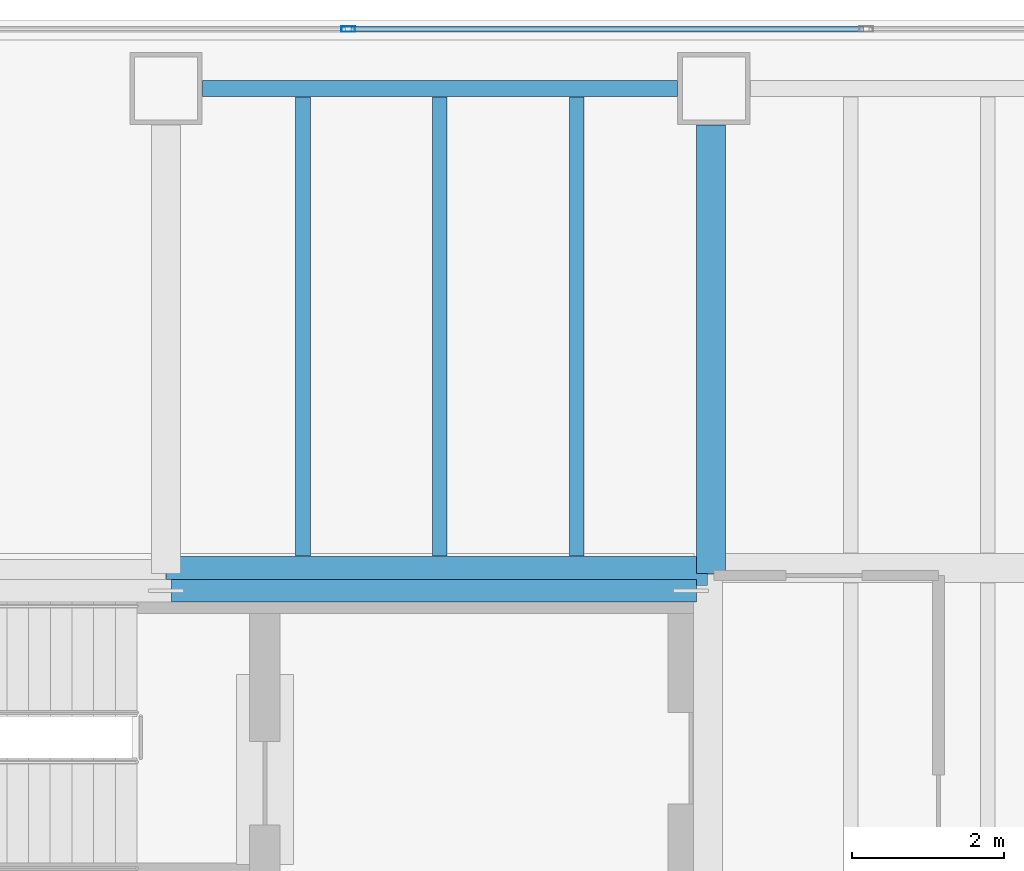
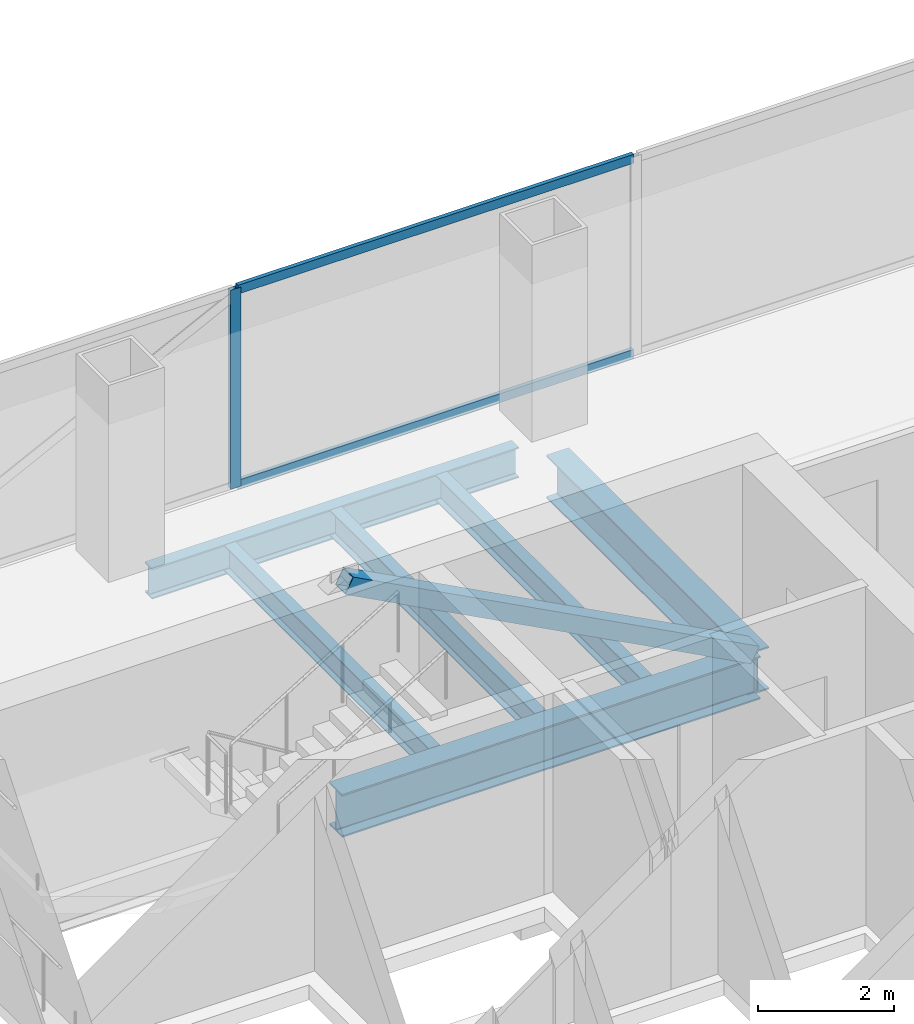
# One storey, part 17 of 23: 6 beams, 4 members, 1 element without a shape of its own.
"""IFC4 building model written with IfcOpenShell, lengths in metres."""

from ifc_helpers import new_model, si_unit, direction, frame, origin, origin_2d, place, context, subcontext, project, spatial, hollow_rectangle, i_section, extrude, material, material_profile, profile_set, type_object, element, aggregate, save


model = new_model("IFC4")

# Units and contexts
model_context = context("Model", 3, precision=1e-05, world=origin(), true_north=direction((0.0, 1.0)))
body_context = subcontext(model_context, "Body", "Model", "MODEL_VIEW")
ifc_project = project(units=[si_unit("LENGTHUNIT", "METRE"), si_unit("AREAUNIT", "SQUARE_METRE"), si_unit("VOLUMEUNIT", "CUBIC_METRE"), si_unit("PLANEANGLEUNIT", "RADIAN"), si_unit("MASSUNIT", "GRAM", prefix="KILO")], contexts=[model_context])

# Site, building, storey
site_placement = place(None, origin())
site = spatial("IfcSite", under=ifc_project, at=site_placement, CompositionType="ELEMENT")
building_placement = place(site_placement, origin())
building = spatial("IfcBuilding", under=site, at=building_placement, Name="Cobrela Telecom Tower", CompositionType="ELEMENT")
storey_placement = place(building_placement, frame((0.0, 0.0, 102.199951171875)))
storey = spatial("IfcBuildingStorey", under=building, at=storey_placement, Name="L25", CompositionType="ELEMENT", Elevation=102.199951171875)

# Beams
ifc_material_1 = material(Name="Steel ASTM A992 Grade 50", Category="steel")
ifc_material_profile_1 = material_profile(ifc_material_1, i_section(OverallWidth=0.381103515625, OverallDepth=0.77197265625, WebThickness=0.0166015625, FlangeThickness=0.027099609375, FilletRadius=0.01904296875, at=origin_2d()), Name="W30X173")
ifc_profile_set_1 = profile_set([ifc_material_profile_1], Name="Steel ASTM A992 Grade 50")
beam_type_1 = type_object("IfcBeamType", Name="BM-GIRD-04", PredefinedType="USERDEFINED", material=ifc_profile_set_1)
beam_1_placement = place(storey_placement, frame((7.205078125, 35.9599609375, -0.656005859375), z_axis=(1.0, 0.0, 0.0), x_axis=(0.0, 1.0, 0.0)))
element("IfcBeam", 1, at=beam_1_placement, inside=storey, type_object=beam_type_1, Name="L25 Primary Girder X26", ObjectType="GIRDER", PredefinedType="USERDEFINED", context=body_context, shape_type="SweptSolid", body=[
    extrude(i_section(OverallWidth=0.381103515625, OverallDepth=0.77197265625, WebThickness=0.0166015625, FlangeThickness=0.027099609375, FilletRadius=0.01904296875, at=origin_2d()), origin(), (0.0, 0.0, 1.0), 7.10986328125),
])
beam_2_placement = place(storey_placement, frame((14.360107421875, 35.925048828125, -0.656005859375), z_axis=(0.0, 1.0, 0.0), x_axis=(-1.0, 0.0, 0.0)))
element("IfcBeam", 2, at=beam_2_placement, inside=storey, type_object=beam_type_1, Name="L25 Primary Girder Y38", ObjectType="GIRDER", PredefinedType="USERDEFINED", context=body_context, shape_type="SweptSolid", body=[
    extrude(i_section(OverallWidth=0.381103515625, OverallDepth=0.77197265625, WebThickness=0.0166015625, FlangeThickness=0.027099609375, FilletRadius=0.01904296875, at=origin_2d()), origin(), (0.0, 0.0, 1.0), 5.89501953125),
])
ifc_material_profile_2 = material_profile(ifc_material_1, i_section(OverallWidth=0.193115234375, OverallDepth=0.467041015625, WebThickness=0.011474609375, FlangeThickness=0.01904296875, FilletRadius=0.012939453125, at=origin_2d()), Name="W18X65")
ifc_profile_set_2 = profile_set([ifc_material_profile_2], Name="Steel ASTM A992 Grade 50")
beam_type_2 = type_object("IfcBeamType", Name="BM-JOIST-03", PredefinedType="JOIST", material=ifc_profile_set_2)
for number, where, z_axis, x_axis, name in (
    (3, (9.0, 36.155517578125, -0.50341796875), (0.0, 1.0, 0.0), (-1.0, 0.0, 0.0), "L25 Secondary Composite Floor Beam J01"),
    (4, (10.800048828125, 36.155517578125, -0.50341796875), (0.0, 1.0, 0.0), (-1.0, 0.0, 0.0), "L25 Secondary Composite Floor Beam J02"),
    (5, (12.60009765625, 36.155517578125, -0.50341796875), (0.0, 1.0, 0.0), (-1.0, 0.0, 0.0), "L25 Secondary Composite Floor Beam J03"),
):
    element("IfcBeam", number, at=place(storey_placement, frame(where, z_axis=z_axis, x_axis=x_axis)), inside=storey, type_object=beam_type_2, Name=name, PredefinedType="JOIST", context=body_context, shape_type="SweptSolid", body=[
        extrude(i_section(OverallWidth=0.193115234375, OverallDepth=0.467041015625, WebThickness=0.011474609375, FlangeThickness=0.01904296875, FilletRadius=0.012939453125, at=origin_2d()), origin(), (0.0, 0.0, 1.0), 6.032958984375),
    ])
ifc_material_profile_3 = material_profile(ifc_material_1, i_section(OverallWidth=0.212890625, OverallDepth=0.549072265625, WebThickness=0.0146484375, FlangeThickness=0.023681640625, FilletRadius=0.013916015625, at=origin_2d()), Name="W21X93")
ifc_profile_set_3 = profile_set([ifc_material_profile_3], Name="Steel ASTM A992 Grade 50")
beam_type_3 = type_object("IfcBeamType", Name="BM-SPAND-03", PredefinedType="SPANDREL", material=ifc_profile_set_3)
beam_3_placement = place(storey_placement, frame((7.679931640625, 42.300048828125, -0.54443359375), z_axis=(1.0, 0.0, 0.0), x_axis=(0.0, 1.0, 0.0)))
element("IfcBeam", 6, at=beam_3_placement, inside=storey, type_object=beam_type_3, Name="L25 Perimeter Spandrel X29", PredefinedType="SPANDREL", context=body_context, shape_type="SweptSolid", body=[
    extrude(i_section(OverallWidth=0.212890625, OverallDepth=0.549072265625, WebThickness=0.0146484375, FlangeThickness=0.023681640625, FilletRadius=0.013916015625, at=origin_2d()), origin(), (0.0, 0.0, 1.0), 6.239990234375),
])

# Curtain wall, members
ifc_material_2 = material(Name="Anodized Bronze Aluminium 6063-T6", Category="aluminium")
curtain_wall_type = type_object("IfcCurtainWallType", Name="CW-SYS-TEL", PredefinedType="USERDEFINED", material=ifc_material_2)
curtain_wall_placement = place(storey_placement, origin())
curtain_wall = element("IfcCurtainWall", 7, at=curtain_wall_placement, inside=storey, type_object=curtain_wall_type, Name="L25 Unitised Bronze Curtain Wall 07", ObjectType="UNITISED CURTAIN WALL", PredefinedType="USERDEFINED")
ifc_material_profile_4 = material_profile(ifc_material_2, hollow_rectangle(XDim=0.074951171875, YDim=0.179931640625, WallThickness=0.00390625, at=origin_2d()), Name="ALU 75x180x4")
ifc_profile_set_4 = profile_set([ifc_material_profile_4], Name="Anodized Bronze Aluminium 6063-T6")
member_type_1 = type_object("IfcMemberType", Name="CW-SYS-TEL-MUL", PredefinedType="MULLION", material=ifc_profile_set_4)
member_1_placement = place(storey_placement, frame((9.5966796875, 43.080078125, 0.0), z_axis=(0.0, 0.0, 1.0), x_axis=(0.0, 1.0, 0.0)))
member_1 = element("IfcMember", 8, at=member_1_placement, type_object=member_type_1, Name="CW-TEL mullion 2", PredefinedType="MULLION", context=body_context, shape_type="SweptSolid", body=[
    extrude(hollow_rectangle(XDim=0.074951171875, YDim=0.179931640625, WallThickness=0.00390625, at=origin_2d()), origin(), (0.0, 0.0, 1.0), 3.580078125),
])
ifc_material_profile_5 = material_profile(ifc_material_2, hollow_rectangle(XDim=0.070068359375, YDim=0.159912109375, WallThickness=0.00390625, at=origin_2d()), Name="ALU 70x160x4")
ifc_profile_set_5 = profile_set([ifc_material_profile_5], Name="Anodized Bronze Aluminium 6063-T6")
member_type_2 = type_object("IfcMemberType", Name="CW-SYS-TEL-TRN", PredefinedType="USERDEFINED", material=ifc_profile_set_5)
member_2_placement = place(storey_placement, frame((9.63427734375, 43.080078125, 0.03515625), z_axis=(1.0, 0.0, 0.0), x_axis=(0.0, 1.0, 0.0)))
member_2 = element("IfcMember", 9, at=member_2_placement, type_object=member_type_2, Name="CW-TEL transom 2.1", ObjectType="TRANSOM", PredefinedType="USERDEFINED", context=body_context, shape_type="SweptSolid", body=[
    extrude(hollow_rectangle(XDim=0.070068359375, YDim=0.159912109375, WallThickness=0.00390625, at=origin_2d()), origin(), (0.0, 0.0, 1.0), 6.7314453125),
])
member_3_placement = place(storey_placement, frame((9.63427734375, 43.080078125, 3.545166015625), z_axis=(1.0, 0.0, 0.0), x_axis=(0.0, 1.0, 0.0)))
member_3 = element("IfcMember", 10, at=member_3_placement, type_object=member_type_2, Name="CW-TEL transom 2.2", ObjectType="TRANSOM", PredefinedType="USERDEFINED", context=body_context, shape_type="SweptSolid", body=[
    extrude(hollow_rectangle(XDim=0.070068359375, YDim=0.159912109375, WallThickness=0.00390625, at=origin_2d()), origin(), (0.0, 0.0, 1.0), 6.7314453125),
])
aggregate(curtain_wall, [member_1, member_2, member_3])

# Member
ifc_material_3 = material(Name="Steel ASTM A572 Grade 50", Category="steel")
ifc_material_profile_6 = material_profile(ifc_material_3, hollow_rectangle(XDim=0.300048828125, YDim=0.300048828125, WallThickness=0.01611328125, at=origin_2d()), Name="HSS 300x300x16")
ifc_profile_set_6 = profile_set([ifc_material_profile_6], Name="Steel ASTM A572 Grade 50")
member_type_3 = type_object("IfcMemberType", Name="MBR-EXO-03", PredefinedType="BRACE", material=ifc_profile_set_6)
member_4_placement = place(storey_placement, frame((14.10009765625, 35.699951171875, -0.0400390625), z_axis=(-0.883409759267, 0.0, 0.468601320134), x_axis=(0.0, -1.0, 0.0)))
element("IfcMember", 11, at=member_4_placement, inside=storey, type_object=member_type_3, Name="L25 Core Flange Steel Brace N2", PredefinedType="BRACE", context=body_context, shape_type="SweptSolid", body=[
    extrude(hollow_rectangle(XDim=0.300048828125, YDim=0.300048828125, WallThickness=0.01611328125, at=origin_2d()), origin(), (0.0, 0.0, 1.0), 7.810791015625),
])

save(model, "model.ifc")
